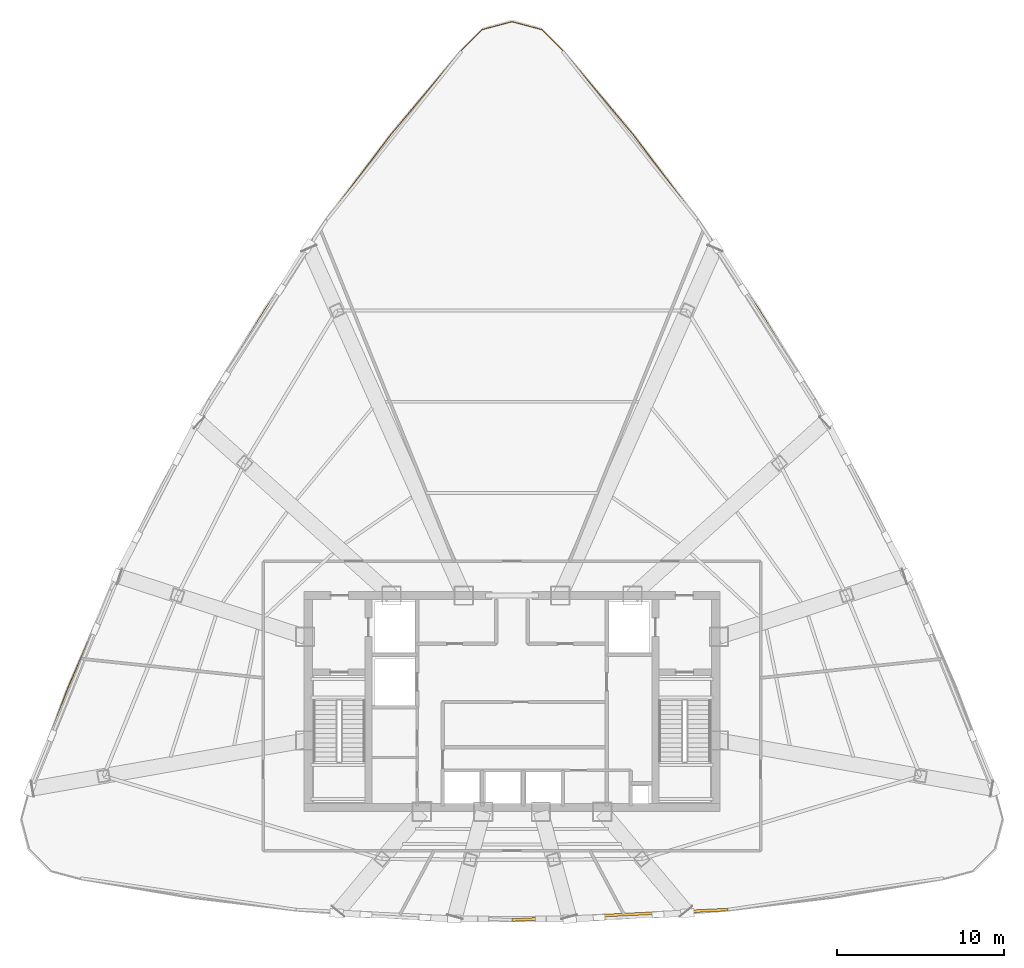
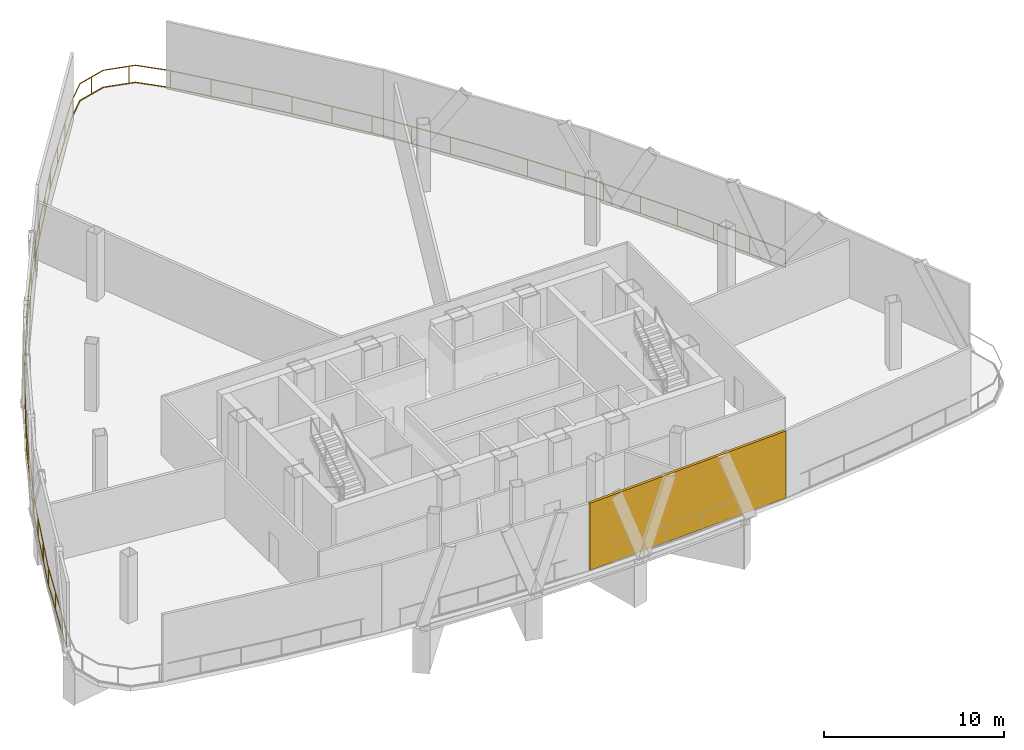
# One storey, part 10 of 12: 1 railing, 1 shading device.
"""IFC4 building model written with IfcOpenShell, lengths in metres."""

from ifc_helpers import new_model, si_unit, direction, frame, origin, origin_2d, place, context, subcontext, project, spatial, rectangle, extrude, source, transform, mapped, material, layer, layer_set, type_object, element, save


model = new_model("IFC4")

# Units and contexts
model_context = context("Model", 3, precision=1e-05, world=origin(), true_north=direction((0.0, 1.0)))
body_context = subcontext(model_context, "Body", "Model", "MODEL_VIEW")
ifc_project = project(units=[si_unit("LENGTHUNIT", "METRE"), si_unit("AREAUNIT", "SQUARE_METRE"), si_unit("VOLUMEUNIT", "CUBIC_METRE"), si_unit("PLANEANGLEUNIT", "RADIAN"), si_unit("MASSUNIT", "GRAM", prefix="KILO"), si_unit("THERMODYNAMICTEMPERATUREUNIT", "KELVIN"), si_unit("POWERUNIT", "WATT")], contexts=[model_context])

# Site, building, storey
site_placement = place(None, origin())
site = spatial("IfcSite", under=ifc_project, at=site_placement, CompositionType="ELEMENT")
building_placement = place(site_placement, origin())
building = spatial("IfcBuilding", under=site, at=building_placement, Name="Yunzhuo Pagoda Commons", CompositionType="ELEMENT")
storey_placement = place(building_placement, frame((0.0, 0.0, 320.7099609375)))
storey = spatial("IfcBuildingStorey", under=building, at=storey_placement, Name="L80", CompositionType="ELEMENT", Elevation=320.7099609375)

# Railing
ifc_material = material(Name="Anodized aluminium 6063-T6", Category="aluminium")
railing_type = type_object("IfcRailingType", Name="RL-PRT1 Wind Portal & Refuge Guardrail 1200", PredefinedType="GUARDRAIL", material=ifc_material)
railing_placement = place(storey_placement, frame((72.051025390625, 40.593505859375, 0.0)))
element("IfcRailing", 1, at=railing_placement, inside=storey, type_object=railing_type, Name="L80 refuge perimeter guardrail B", PredefinedType="GUARDRAIL", context=body_context, shape_type="SweptSolid", body=[
    extrude(rectangle(XDim=0.048095703125, YDim=0.048095703125, at=origin_2d()), frame((0.0, 0.0, 1.17578125), z_axis=(-0.440686015509, 0.897661314603, 0.0), x_axis=(-0.897661314603, -0.440686015509, 0.0)), (0.0, 0.0, 1.0), 6.414794921875),
    extrude(rectangle(XDim=0.048095703125, YDim=0.048095703125, at=origin_2d()), frame((0.0, 0.0, 0.02392578125), z_axis=(-0.440686015509, 0.897661314603, 0.0), x_axis=(-0.897661314603, -0.440686015509, 0.0)), (0.0, 0.0, 1.0), 6.414794921875),
    extrude(rectangle(XDim=0.048095703125, YDim=0.048095703125, at=origin_2d()), frame((-2.826904296875, 5.75830078125, 1.17578125), z_axis=(-0.483326627558, 0.875440101374, 0.0), x_axis=(-0.875440101374, -0.483326627558, 0.0)), (0.0, 0.0, 1.0), 6.394287109375),
    extrude(rectangle(XDim=0.048095703125, YDim=0.048095703125, at=origin_2d()), frame((-2.826904296875, 5.75830078125, 0.02392578125), z_axis=(-0.483326627558, 0.875440101374, 0.0), x_axis=(-0.875440101374, -0.483326627558, 0.0)), (0.0, 0.0, 1.0), 6.394287109375),
    extrude(rectangle(XDim=0.048095703125, YDim=0.048095703125, at=origin_2d()), frame((-5.91748046875, 11.356201171875, 1.17578125), z_axis=(-0.524689521138, 0.851293666373, 0.0), x_axis=(-0.851293666373, -0.524689521138, 0.0)), (0.0, 0.0, 1.0), 6.394287109375),
    extrude(rectangle(XDim=0.048095703125, YDim=0.048095703125, at=origin_2d()), frame((-5.91748046875, 11.356201171875, 0.02392578125), z_axis=(-0.524689521138, 0.851293666373, 0.0), x_axis=(-0.851293666373, -0.524689521138, 0.0)), (0.0, 0.0, 1.0), 6.394287109375),
    extrude(rectangle(XDim=0.048095703125, YDim=0.048095703125, at=origin_2d()), frame((-9.2724609375, 16.799560546875, 1.17578125), z_axis=(-0.564994958958, 0.825094356029, 0.0), x_axis=(-0.825094356029, -0.564994958958, 0.0)), (0.0, 0.0, 1.0), 6.414794921875),
    extrude(rectangle(XDim=0.048095703125, YDim=0.048095703125, at=origin_2d()), frame((-9.2724609375, 16.799560546875, 0.02392578125), z_axis=(-0.564994958958, 0.825094356029, 0.0), x_axis=(-0.825094356029, -0.564994958958, 0.0)), (0.0, 0.0, 1.0), 6.414794921875),
    extrude(rectangle(XDim=0.048095703125, YDim=0.048095703125, at=origin_2d()), frame((-12.896728515625, 22.09228515625, 1.17578125), z_axis=(-0.604139624617, 0.796878481305, 0.0), x_axis=(-0.796878481305, -0.604139624617, 0.0)), (0.0, 0.0, 1.0), 6.451171875),
    extrude(rectangle(XDim=0.048095703125, YDim=0.048095703125, at=origin_2d()), frame((-12.896728515625, 22.09228515625, 0.02392578125), z_axis=(-0.604139624617, 0.796878481305, 0.0), x_axis=(-0.796878481305, -0.604139624617, 0.0)), (0.0, 0.0, 1.0), 6.451171875),
    extrude(rectangle(XDim=0.048095703125, YDim=0.048095703125, at=origin_2d()), frame((-16.794189453125, 27.233154296875, 1.17578125), z_axis=(-0.64174516635, 0.766917949631, 0.0), x_axis=(-0.766917949631, -0.64174516635, 0.0)), (0.0, 0.0, 1.0), 6.502685546875),
    extrude(rectangle(XDim=0.048095703125, YDim=0.048095703125, at=origin_2d()), frame((-16.794189453125, 27.233154296875, 0.02392578125), z_axis=(-0.64174516635, 0.766917949631, 0.0), x_axis=(-0.766917949631, -0.64174516635, 0.0)), (0.0, 0.0, 1.0), 6.502685546875),
    extrude(rectangle(XDim=0.048095703125, YDim=0.048095703125, at=origin_2d()), frame((-20.96728515625, 32.22021484375, 1.17578125), z_axis=(-0.708562681948, 0.7056478766, 0.0), x_axis=(-0.7056478766, -0.708562681948, 0.0)), (0.0, 0.0, 1.0), 1.8427734375),
    extrude(rectangle(XDim=0.048095703125, YDim=0.048095703125, at=origin_2d()), frame((-20.96728515625, 32.22021484375, 0.02392578125), z_axis=(-0.708562681948, 0.7056478766, 0.0), x_axis=(-0.7056478766, -0.708562681948, 0.0)), (0.0, 0.0, 1.0), 1.8427734375),
    extrude(rectangle(XDim=0.048095703125, YDim=0.048095703125, at=origin_2d()), frame((-22.27294921875, 33.5205078125, 1.17578125), z_axis=(-0.966040930243, 0.258389088578, 0.0), x_axis=(-0.258389088578, -0.966040930243, 0.0)), (0.0, 0.0, 1.0), 1.840576171875),
    extrude(rectangle(XDim=0.048095703125, YDim=0.048095703125, at=origin_2d()), frame((-22.27294921875, 33.5205078125, 0.02392578125), z_axis=(-0.966040930243, 0.258389088578, 0.0), x_axis=(-0.258389088578, -0.966040930243, 0.0)), (0.0, 0.0, 1.0), 1.840576171875),
    extrude(rectangle(XDim=0.048095703125, YDim=0.048095703125, at=origin_2d()), frame((-24.051025390625, 33.99609375, 1.17578125), z_axis=(-0.966040930243, -0.258389088578, 0.0), x_axis=(0.258389088578, -0.966040930243, 0.0)), (0.0, 0.0, 1.0), 1.840576171875),
    extrude(rectangle(XDim=0.048095703125, YDim=0.048095703125, at=origin_2d()), frame((-24.051025390625, 33.99609375, 0.02392578125), z_axis=(-0.966040930243, -0.258389088578, 0.0), x_axis=(0.258389088578, -0.966040930243, 0.0)), (0.0, 0.0, 1.0), 1.840576171875),
    extrude(rectangle(XDim=0.048095703125, YDim=0.048095703125, at=origin_2d()), frame((-25.8291015625, 33.5205078125, 1.17578125), z_axis=(-0.708562681948, -0.7056478766, 0.0), x_axis=(0.7056478766, -0.708562681948, 0.0)), (0.0, 0.0, 1.0), 1.8427734375),
    extrude(rectangle(XDim=0.048095703125, YDim=0.048095703125, at=origin_2d()), frame((-25.8291015625, 33.5205078125, 0.02392578125), z_axis=(-0.708562681948, -0.7056478766, 0.0), x_axis=(0.7056478766, -0.708562681948, 0.0)), (0.0, 0.0, 1.0), 1.8427734375),
    extrude(rectangle(XDim=0.048095703125, YDim=0.048095703125, at=origin_2d()), frame((-27.134765625, 32.22021484375, 1.17578125), z_axis=(-0.64174516635, -0.766917949631, 0.0), x_axis=(0.766917949631, -0.64174516635, 0.0)), (0.0, 0.0, 1.0), 6.502685546875),
    extrude(rectangle(XDim=0.048095703125, YDim=0.048095703125, at=origin_2d()), frame((-27.134765625, 32.22021484375, 0.02392578125), z_axis=(-0.64174516635, -0.766917949631, 0.0), x_axis=(0.766917949631, -0.64174516635, 0.0)), (0.0, 0.0, 1.0), 6.502685546875),
    extrude(rectangle(XDim=0.048095703125, YDim=0.048095703125, at=origin_2d()), frame((-31.307861328125, 27.233154296875, 1.17578125), z_axis=(-0.604139624617, -0.796878481305, 0.0), x_axis=(0.796878481305, -0.604139624617, 0.0)), (0.0, 0.0, 1.0), 6.451171875),
    extrude(rectangle(XDim=0.048095703125, YDim=0.048095703125, at=origin_2d()), frame((-31.307861328125, 27.233154296875, 0.02392578125), z_axis=(-0.604139624617, -0.796878481305, 0.0), x_axis=(0.796878481305, -0.604139624617, 0.0)), (0.0, 0.0, 1.0), 6.451171875),
    extrude(rectangle(XDim=0.048095703125, YDim=0.048095703125, at=origin_2d()), frame((-35.205322265625, 22.09228515625, 1.17578125), z_axis=(-0.564994958958, -0.825094356029, 0.0), x_axis=(0.825094356029, -0.564994958958, 0.0)), (0.0, 0.0, 1.0), 6.414794921875),
    extrude(rectangle(XDim=0.048095703125, YDim=0.048095703125, at=origin_2d()), frame((-35.205322265625, 22.09228515625, 0.02392578125), z_axis=(-0.564994958958, -0.825094356029, 0.0), x_axis=(0.825094356029, -0.564994958958, 0.0)), (0.0, 0.0, 1.0), 6.414794921875),
    extrude(rectangle(XDim=0.048095703125, YDim=0.048095703125, at=origin_2d()), frame((-38.82958984375, 16.799560546875, 1.17578125), z_axis=(-0.524689521138, -0.851293666373, 0.0), x_axis=(0.851293666373, -0.524689521138, 0.0)), (0.0, 0.0, 1.0), 6.394287109375),
    extrude(rectangle(XDim=0.048095703125, YDim=0.048095703125, at=origin_2d()), frame((-38.82958984375, 16.799560546875, 0.02392578125), z_axis=(-0.524689521138, -0.851293666373, 0.0), x_axis=(0.851293666373, -0.524689521138, 0.0)), (0.0, 0.0, 1.0), 6.394287109375),
    extrude(rectangle(XDim=0.048095703125, YDim=0.048095703125, at=origin_2d()), frame((-42.1845703125, 11.356201171875, 1.17578125), z_axis=(-0.483326627558, -0.875440101374, 0.0), x_axis=(0.875440101374, -0.483326627558, 0.0)), (0.0, 0.0, 1.0), 6.394287109375),
    extrude(rectangle(XDim=0.048095703125, YDim=0.048095703125, at=origin_2d()), frame((-42.1845703125, 11.356201171875, 0.02392578125), z_axis=(-0.483326627558, -0.875440101374, 0.0), x_axis=(0.875440101374, -0.483326627558, 0.0)), (0.0, 0.0, 1.0), 6.394287109375),
    extrude(rectangle(XDim=0.048095703125, YDim=0.048095703125, at=origin_2d()), frame((-45.275146484375, 5.75830078125, 1.17578125), z_axis=(-0.440686015509, -0.897661314603, 0.0), x_axis=(0.897661314603, -0.440686015509, 0.0)), (0.0, 0.0, 1.0), 6.414794921875),
    extrude(rectangle(XDim=0.048095703125, YDim=0.048095703125, at=origin_2d()), frame((-45.275146484375, 5.75830078125, 0.02392578125), z_axis=(-0.440686015509, -0.897661314603, 0.0), x_axis=(0.897661314603, -0.440686015509, 0.0)), (0.0, 0.0, 1.0), 6.414794921875),
    extrude(rectangle(XDim=0.048095703125, YDim=0.048095703125, at=origin_2d()), frame((-48.10205078125, 0.0, 1.17578125), z_axis=(-0.396831020924, -0.917891682516, 0.0), x_axis=(0.917891682516, -0.396831020924, 0.0)), (0.0, 0.0, 1.0), 6.451904296875),
    extrude(rectangle(XDim=0.048095703125, YDim=0.048095703125, at=origin_2d()), frame((-48.10205078125, 0.0, 0.02392578125), z_axis=(-0.396831020924, -0.917891682516, 0.0), x_axis=(0.917891682516, -0.396831020924, 0.0)), (0.0, 0.0, 1.0), 6.451904296875),
    extrude(rectangle(XDim=0.048095703125, YDim=0.048095703125, at=origin_2d()), frame((-50.662353515625, -5.922119140625, 1.17578125), z_axis=(-0.352235366476, -0.93591145233, 0.0), x_axis=(0.93591145233, -0.352235366476, 0.0)), (0.0, 0.0, 1.0), 6.423095703125),
    extrude(rectangle(XDim=0.048095703125, YDim=0.048095703125, at=origin_2d()), frame((-50.662353515625, -5.922119140625, 0.02392578125), z_axis=(-0.352235366476, -0.93591145233, 0.0), x_axis=(0.93591145233, -0.352235366476, 0.0)), (0.0, 0.0, 1.0), 6.423095703125),
    extrude(rectangle(XDim=0.0419921875, YDim=0.0419921875, at=origin_2d()), origin(), (0.0, 0.0, 1.0), 1.15185546875),
    extrude(rectangle(XDim=0.0419921875, YDim=0.0419921875, at=origin_2d()), frame((-1.0576171875, 2.154296875, 0.0)), (0.0, 0.0, 1.0), 1.15185546875),
    extrude(rectangle(XDim=0.0419921875, YDim=0.0419921875, at=origin_2d()), frame((-2.115234375, 4.308837890625, 0.0)), (0.0, 0.0, 1.0), 1.15185546875),
    extrude(rectangle(XDim=0.0419921875, YDim=0.0419921875, at=origin_2d()), frame((-3.20654296875, 6.44580078125, 0.0)), (0.0, 0.0, 1.0), 1.15185546875),
    extrude(rectangle(XDim=0.0419921875, YDim=0.0419921875, at=origin_2d()), frame((-4.366455078125, 8.546875, 0.0)), (0.0, 0.0, 1.0), 1.15185546875),
    extrude(rectangle(XDim=0.0419921875, YDim=0.0419921875, at=origin_2d()), frame((-5.5263671875, 10.647705078125, 0.0)), (0.0, 0.0, 1.0), 1.15185546875),
    extrude(rectangle(XDim=0.0419921875, YDim=0.0419921875, at=origin_2d()), frame((-6.752197265625, 12.71044921875, 0.0)), (0.0, 0.0, 1.0), 1.15185546875),
    extrude(rectangle(XDim=0.0419921875, YDim=0.0419921875, at=origin_2d()), frame((-8.011474609375, 14.753662109375, 0.0)), (0.0, 0.0, 1.0), 1.15185546875),
    extrude(rectangle(XDim=0.0419921875, YDim=0.0419921875, at=origin_2d()), frame((-10.62646484375, 18.777099609375, 0.0)), (0.0, 0.0, 1.0), 1.15185546875),
    extrude(rectangle(XDim=0.0419921875, YDim=0.0419921875, at=origin_2d()), frame((-11.982421875, 20.75732421875, 0.0)), (0.0, 0.0, 1.0), 1.15185546875),
    extrude(rectangle(XDim=0.0419921875, YDim=0.0419921875, at=origin_2d()), frame((-13.369140625, 22.71533203125, 0.0)), (0.0, 0.0, 1.0), 1.15185546875),
    extrude(rectangle(XDim=0.0419921875, YDim=0.0419921875, at=origin_2d()), frame((-14.819091796875, 24.6279296875, 0.0)), (0.0, 0.0, 1.0), 1.15185546875),
    extrude(rectangle(XDim=0.0419921875, YDim=0.0419921875, at=origin_2d()), frame((-16.26904296875, 26.540283203125, 0.0)), (0.0, 0.0, 1.0), 1.15185546875),
    extrude(rectangle(XDim=0.0419921875, YDim=0.0419921875, at=origin_2d()), frame((-17.7763671875, 28.406982421875, 0.0)), (0.0, 0.0, 1.0), 1.15185546875),
    extrude(rectangle(XDim=0.0419921875, YDim=0.0419921875, at=origin_2d()), frame((-19.316650390625, 30.24755859375, 0.0)), (0.0, 0.0, 1.0), 1.15185546875),
    extrude(rectangle(XDim=0.0419921875, YDim=0.0419921875, at=origin_2d()), frame((-20.85693359375, 32.088134765625, 0.0)), (0.0, 0.0, 1.0), 1.15185546875),
    extrude(rectangle(XDim=0.0419921875, YDim=0.0419921875, at=origin_2d()), frame((-22.64501953125, 33.6201171875, 0.0)), (0.0, 0.0, 1.0), 1.15185546875),
    extrude(rectangle(XDim=0.0419921875, YDim=0.0419921875, at=origin_2d()), frame((-24.963623046875, 33.751953125, 0.0)), (0.0, 0.0, 1.0), 1.15185546875),
    extrude(rectangle(XDim=0.0419921875, YDim=0.0419921875, at=origin_2d()), frame((-26.894775390625, 32.459228515625, 0.0)), (0.0, 0.0, 1.0), 1.15185546875),
    extrude(rectangle(XDim=0.0419921875, YDim=0.0419921875, at=origin_2d()), frame((-28.457763671875, 30.639404296875, 0.0)), (0.0, 0.0, 1.0), 1.15185546875),
    extrude(rectangle(XDim=0.0419921875, YDim=0.0419921875, at=origin_2d()), frame((-29.997802734375, 28.798583984375, 0.0)), (0.0, 0.0, 1.0), 1.15185546875),
    extrude(rectangle(XDim=0.0419921875, YDim=0.0419921875, at=origin_2d()), frame((-31.524658203125, 26.947265625, 0.0)), (0.0, 0.0, 1.0), 1.15185546875),
    extrude(rectangle(XDim=0.0419921875, YDim=0.0419921875, at=origin_2d()), frame((-32.974365234375, 25.034912109375, 0.0)), (0.0, 0.0, 1.0), 1.15185546875),
    extrude(rectangle(XDim=0.0419921875, YDim=0.0419921875, at=origin_2d()), frame((-34.42431640625, 23.122314453125, 0.0)), (0.0, 0.0, 1.0), 1.15185546875),
    extrude(rectangle(XDim=0.0419921875, YDim=0.0419921875, at=origin_2d()), frame((-35.8310546875, 21.178466796875, 0.0)), (0.0, 0.0, 1.0), 1.15185546875),
    extrude(rectangle(XDim=0.0419921875, YDim=0.0419921875, at=origin_2d()), frame((-37.18701171875, 19.1982421875, 0.0)), (0.0, 0.0, 1.0), 1.15185546875),
    extrude(rectangle(XDim=0.0419921875, YDim=0.0419921875, at=origin_2d()), frame((-38.54296875, 17.218017578125, 0.0)), (0.0, 0.0, 1.0), 1.15185546875),
    extrude(rectangle(XDim=0.0419921875, YDim=0.0419921875, at=origin_2d()), frame((-39.82275390625, 15.188232421875, 0.0)), (0.0, 0.0, 1.0), 1.15185546875),
    extrude(rectangle(XDim=0.0419921875, YDim=0.0419921875, at=origin_2d()), frame((-41.08203125, 13.145263671875, 0.0)), (0.0, 0.0, 1.0), 1.15185546875),
    extrude(rectangle(XDim=0.0419921875, YDim=0.0419921875, at=origin_2d()), frame((-42.328857421875, 11.094970703125, 0.0)), (0.0, 0.0, 1.0), 1.15185546875),
    extrude(rectangle(XDim=0.0419921875, YDim=0.0419921875, at=origin_2d()), frame((-43.48876953125, 8.993896484375, 0.0)), (0.0, 0.0, 1.0), 1.15185546875),
    extrude(rectangle(XDim=0.0419921875, YDim=0.0419921875, at=origin_2d()), frame((-44.64892578125, 6.892822265625, 0.0)), (0.0, 0.0, 1.0), 1.15185546875),
    extrude(rectangle(XDim=0.0419921875, YDim=0.0419921875, at=origin_2d()), frame((-45.76171875, 4.76708984375, 0.0)), (0.0, 0.0, 1.0), 1.15185546875),
    extrude(rectangle(XDim=0.0419921875, YDim=0.0419921875, at=origin_2d()), frame((-46.8193359375, 2.61279296875, 0.0)), (0.0, 0.0, 1.0), 1.15185546875),
    extrude(rectangle(XDim=0.0419921875, YDim=0.0419921875, at=origin_2d()), frame((-47.876953125, 0.45849609375, 0.0)), (0.0, 0.0, 1.0), 1.15185546875),
    extrude(rectangle(XDim=0.0419921875, YDim=0.0419921875, at=origin_2d()), frame((-48.851806640625, -1.734130859375, 0.0)), (0.0, 0.0, 1.0), 1.15185546875),
    extrude(rectangle(XDim=0.0419921875, YDim=0.0419921875, at=origin_2d()), frame((-49.80419921875, -3.93701171875, 0.0)), (0.0, 0.0, 1.0), 1.15185546875),
    extrude(rectangle(XDim=0.0419921875, YDim=0.0419921875, at=origin_2d()), frame((-50.74609375, -6.144287109375, 0.0)), (0.0, 0.0, 1.0), 1.15185546875),
    extrude(rectangle(XDim=0.0419921875, YDim=0.0419921875, at=origin_2d()), frame((-51.59130859375, -8.390625, 0.0)), (0.0, 0.0, 1.0), 1.15185546875),
    extrude(rectangle(XDim=0.0419921875, YDim=0.0419921875, at=origin_2d()), frame((-52.436767578125, -10.63671875, 0.0)), (0.0, 0.0, 1.0), 1.15185546875),
    extrude(rectangle(XDim=0.0419921875, YDim=0.0419921875, at=origin_2d()), frame((-52.9248046875, -11.93359375, 0.0)), (0.0, 0.0, 1.0), 1.15185546875),
])

# Shading device
ifc_layer = layer(ifc_material, 0.159912109375)
ifc_layer_set = layer_set([ifc_layer], Name="Anodized aluminium 6063-T6")
shading_device_type = type_object("IfcShadingDeviceType", Name="SH-SCR1 Stormproof Refuge Louvre Screen", PredefinedType="JALOUSIE", material=ifc_layer_set)
shared_shape = source(origin(), body_context, "Body", "SweptSolid", [
    extrude(rectangle(XDim=12.92529296875, YDim=0.159912109375, at=origin_2d()), origin(), (0.0, 0.0, 1.0), 4.5400390625),
])
shading_device_placement = place(storey_placement, frame((54.468994140625, 21.07080078125, 0.0), z_axis=(0.0, 0.0, 1.0), x_axis=(0.998818043775, 0.04860571396, 0.0)))
element("IfcShadingDevice", 2, at=shading_device_placement, inside=storey, type_object=shading_device_type, Name="L80 stormproof refuge louvre screen F1.3", PredefinedType="JALOUSIE", context=body_context, shape_type="MappedRepresentation", body=[
    mapped(shared_shape, transform((0.0, 0.0, 0.0), scale=1.0)),
])

save(model, "model.ifc")
